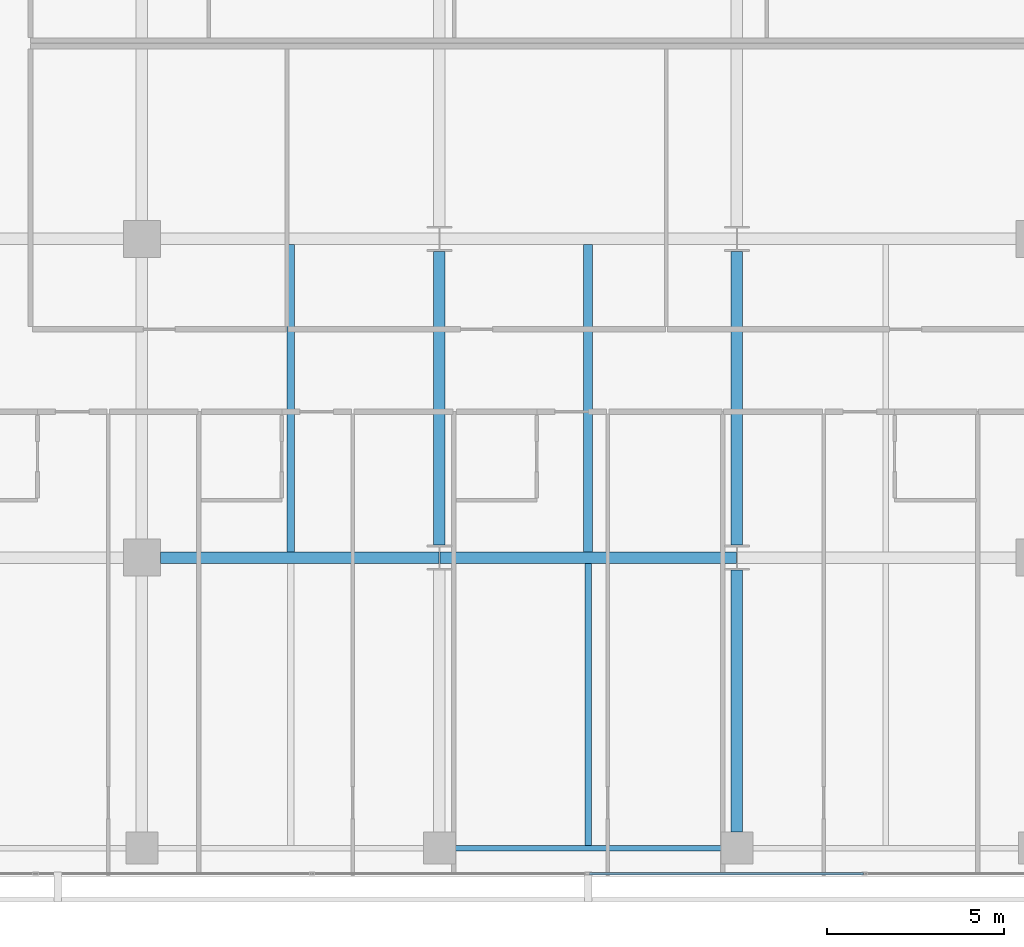
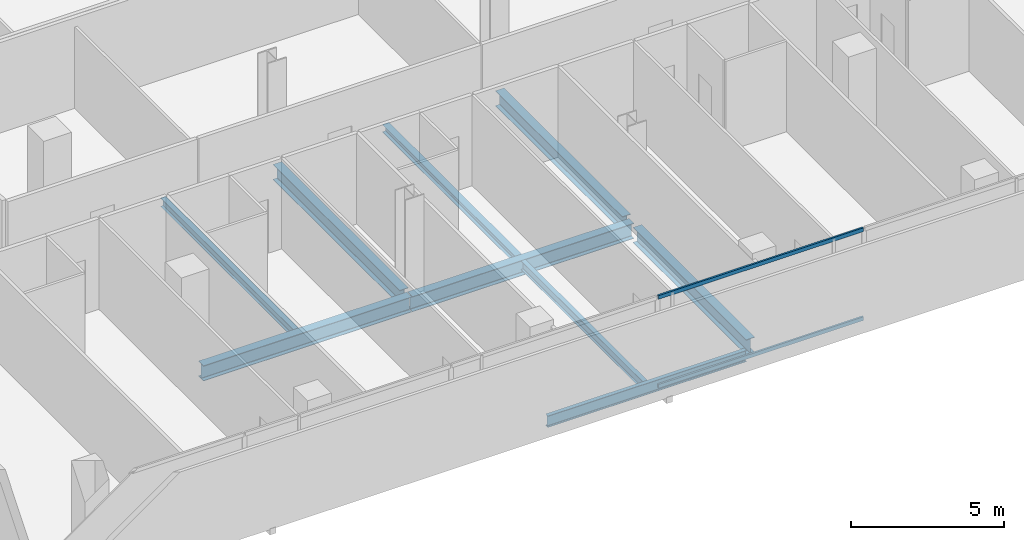
# One storey, part 9 of 41: 9 beams, 2 members, 1 element without a shape of its own.
"""IFC4 building model written with IfcOpenShell, lengths in metres."""

from ifc_helpers import new_model, si_unit, direction, frame, origin, origin_2d, place, context, subcontext, project, spatial, hollow_rectangle, i_section, extrude, material, layer, layer_set, material_profile, profile_set, type_object, element, aggregate, save


model = new_model("IFC4")

# Units and contexts
model_context = context("Model", 3, precision=1e-05, world=origin(), true_north=direction((0.0, 1.0)))
body_context = subcontext(model_context, "Body", "Model", "MODEL_VIEW")
ifc_project = project(units=[si_unit("LENGTHUNIT", "METRE"), si_unit("AREAUNIT", "SQUARE_METRE"), si_unit("VOLUMEUNIT", "CUBIC_METRE"), si_unit("PLANEANGLEUNIT", "RADIAN"), si_unit("MASSUNIT", "GRAM", prefix="KILO")], contexts=[model_context])

# Site, building, storey
site_placement = place(None, origin())
site = spatial("IfcSite", under=ifc_project, at=site_placement, CompositionType="ELEMENT")
building_placement = place(site_placement, origin())
building = spatial("IfcBuilding", under=site, at=building_placement, Name="Maruvema Waterfront Hotel and Observation Tower", CompositionType="ELEMENT")
storey_placement = place(building_placement, frame((0.0, 0.0, 84.699951171875)))
storey = spatial("IfcBuildingStorey", under=building, at=storey_placement, Name="L20", CompositionType="ELEMENT", Elevation=84.699951171875)

# Curtain wall, members
ifc_material_1 = material(Name="Anodised bronze aluminium and solar-control low-E IGU", Category="aluminium")
ifc_layer = layer(ifc_material_1, 0.159912109375, Name="Zone 1 Bronze Inner Thermal Curtain Wall System CW-02")
ifc_layer_set = layer_set([ifc_layer], Name="Anodised bronze aluminium and solar-control low-E IGU")
curtain_wall_type = type_object("IfcCurtainWallType", Name="Zone 1 Bronze Inner Thermal Curtain Wall System CW-02", PredefinedType="USERDEFINED", material=ifc_layer_set)
curtain_wall_placement = place(storey_placement, origin())
curtain_wall = element("IfcCurtainWall", 1, at=curtain_wall_placement, inside=storey, type_object=curtain_wall_type, Name="L20 Curtain Wall CW-L20-S", ObjectType="UNITISED CURTAIN WALL", PredefinedType="USERDEFINED")
ifc_material_2 = material(Name="Anodised architectural bronze aluminium", Category="aluminium")
ifc_material_profile_1 = material_profile(ifc_material_2, hollow_rectangle(XDim=0.070068359375, YDim=0.14990234375, WallThickness=0.00390625, at=origin_2d()), Name="ALU-T70x150")
ifc_profile_set_1 = profile_set([ifc_material_profile_1], Name="Anodised architectural bronze aluminium")
member_type = type_object("IfcMemberType", Name="Curtain Wall Horizontal Transom ALU-T70x150", PredefinedType="USERDEFINED", material=ifc_profile_set_1)
member_1_placement = place(storey_placement, frame((37.830078125, 0.080078125, 0.030029296875), z_axis=(1.0, 0.0, 0.0), x_axis=(0.0, 1.0, 0.0)))
member_1 = element("IfcMember", 2, at=member_1_placement, type_object=member_type, Name="CW-02 transom 4.1", ObjectType="TRANSOM", PredefinedType="USERDEFINED", context=body_context, shape_type="SweptSolid", body=[
    extrude(hollow_rectangle(XDim=0.070068359375, YDim=0.14990234375, WallThickness=0.00390625, at=origin_2d()), origin(), (0.0, 0.0, 1.0), 7.739990234375),
])
member_2_placement = place(storey_placement, frame((37.830078125, 0.080078125, 3.580078125), z_axis=(1.0, 0.0, 0.0), x_axis=(0.0, 1.0, 0.0)))
member_2 = element("IfcMember", 3, at=member_2_placement, type_object=member_type, Name="CW-02 transom 4.2", ObjectType="TRANSOM", PredefinedType="USERDEFINED", context=body_context, shape_type="SweptSolid", body=[
    extrude(hollow_rectangle(XDim=0.070068359375, YDim=0.14990234375, WallThickness=0.00390625, at=origin_2d()), origin(), (0.0, 0.0, 1.0), 7.739990234375),
])
aggregate(curtain_wall, [member_1, member_2])

# Beams
ifc_material_3 = material(Name="Steel ASTM A572 Grade 50", Category="steel")
ifc_material_profile_2 = material_profile(ifc_material_3, i_section(OverallWidth=0.153076171875, OverallDepth=0.455078125, WebThickness=0.008056640625, FlangeThickness=0.01318359375, FilletRadius=0.014892578125, at=origin_2d()), Name="W460x60.0")
ifc_profile_set_2 = profile_set([ifc_material_profile_2], Name="Steel ASTM A572 Grade 50")
beam_type_1 = type_object("IfcBeamType", Name="Perimeter Spandrel Beam W460x60.0", PredefinedType="SPANDREL", material=ifc_profile_set_2)
beam_1_placement = place(storey_placement, frame((34.050048828125, 0.800048828125, -0.467529296875), z_axis=(1.0, 0.0, 0.0), x_axis=(0.0, 1.0, 0.0)))
element("IfcBeam", 4, at=beam_1_placement, inside=storey, type_object=beam_type_1, Name="L20 Floor Girder EW-03", PredefinedType="SPANDREL", context=body_context, shape_type="SweptSolid", body=[
    extrude(i_section(OverallWidth=0.153076171875, OverallDepth=0.455078125, WebThickness=0.008056640625, FlangeThickness=0.01318359375, FilletRadius=0.014892578125, at=origin_2d()), origin(), (0.0, 0.0, 1.0), 7.5),
])
ifc_material_4 = material(Name="Steel ASTM A572 Grade 50", Category="steel")
ifc_material_profile_3 = material_profile(ifc_material_4, i_section(OverallWidth=0.323974609375, OverallDepth=0.611083984375, WebThickness=0.0126953125, FlangeThickness=0.01904296875, FilletRadius=0.01806640625, at=origin_2d()), Name="W610x155.0")
ifc_profile_set_3 = profile_set([ifc_material_profile_3], Name="Steel ASTM A572 Grade 50")
beam_type_2 = type_object("IfcBeamType", Name="Primary Floor Girder W610x155.0", PredefinedType="BEAM", material=ifc_profile_set_3)
beam_2_placement = place(storey_placement, frame((25.72509765625, 9.0, -0.54541015625), z_axis=(1.0, 0.0, 0.0), x_axis=(0.0, 1.0, 0.0)))
element("IfcBeam", 5, at=beam_2_placement, inside=storey, type_object=beam_type_2, Name="L20 Floor Girder EW-08", PredefinedType="BEAM", context=body_context, shape_type="SweptSolid", body=[
    extrude(i_section(OverallWidth=0.323974609375, OverallDepth=0.611083984375, WebThickness=0.0126953125, FlangeThickness=0.01904296875, FilletRadius=0.01806640625, at=origin_2d()), origin(), (0.0, 0.0, 1.0), 7.86083984375),
])
beam_3_placement = place(storey_placement, frame((33.614013671875, 9.0, -0.54541015625), z_axis=(1.0, 0.0, 0.0), x_axis=(0.0, 1.0, 0.0)))
element("IfcBeam", 6, at=beam_3_placement, inside=storey, type_object=beam_type_2, Name="L20 Floor Girder EW-09", PredefinedType="BEAM", context=body_context, shape_type="SweptSolid", body=[
    extrude(i_section(OverallWidth=0.323974609375, OverallDepth=0.611083984375, WebThickness=0.0126953125, FlangeThickness=0.01904296875, FilletRadius=0.01806640625, at=origin_2d()), origin(), (0.0, 0.0, 1.0), 8.3720703125),
])
beam_4_placement = place(storey_placement, frame((33.60009765625, 9.35009765625, -0.54541015625), z_axis=(0.0, 1.0, 0.0), x_axis=(-1.0, 0.0, 0.0)))
element("IfcBeam", 7, at=beam_4_placement, inside=storey, type_object=beam_type_2, Name="L20 Floor Girder NS-17", PredefinedType="BEAM", context=body_context, shape_type="SweptSolid", body=[
    extrude(i_section(OverallWidth=0.323974609375, OverallDepth=0.611083984375, WebThickness=0.0126953125, FlangeThickness=0.01904296875, FilletRadius=0.01806640625, at=origin_2d()), origin(), (0.0, 0.0, 1.0), 8.2998046875),
])
beam_5_placement = place(storey_placement, frame((42.0, 1.25, -0.54541015625), z_axis=(0.0, 1.0, 0.0), x_axis=(-1.0, 0.0, 0.0)))
element("IfcBeam", 8, at=beam_5_placement, inside=storey, type_object=beam_type_2, Name="L20 Floor Girder NS-19", PredefinedType="BEAM", context=body_context, shape_type="SweptSolid", body=[
    extrude(i_section(OverallWidth=0.323974609375, OverallDepth=0.611083984375, WebThickness=0.0126953125, FlangeThickness=0.01904296875, FilletRadius=0.01806640625, at=origin_2d()), origin(), (0.0, 0.0, 1.0), 7.39990234375),
])
beam_6_placement = place(storey_placement, frame((42.0, 9.35009765625, -0.54541015625), z_axis=(0.0, 1.0, 0.0), x_axis=(-1.0, 0.0, 0.0)))
element("IfcBeam", 9, at=beam_6_placement, inside=storey, type_object=beam_type_2, Name="L20 Floor Girder NS-20", PredefinedType="BEAM", context=body_context, shape_type="SweptSolid", body=[
    extrude(i_section(OverallWidth=0.323974609375, OverallDepth=0.611083984375, WebThickness=0.0126953125, FlangeThickness=0.01904296875, FilletRadius=0.01806640625, at=origin_2d()), origin(), (0.0, 0.0, 1.0), 8.2998046875),
])
ifc_material_5 = material(Name="Steel ASTM A572 Grade 50", Category="steel")
ifc_material_profile_4 = material_profile(ifc_material_5, i_section(OverallWidth=0.25390625, OverallDepth=0.305908203125, WebThickness=0.0087890625, FlangeThickness=0.0146484375, FilletRadius=0.014892578125, at=origin_2d()), Name="W310x79.0")
ifc_profile_set_4 = profile_set([ifc_material_profile_4], Name="Steel ASTM A572 Grade 50")
beam_type_3 = type_object("IfcBeamType", Name="Secondary Floor Joist W310x79.0", PredefinedType="JOIST", material=ifc_profile_set_4)
beam_7_placement = place(storey_placement, frame((37.800048828125, 9.162109375, -0.39306640625), z_axis=(0.0, 1.0, 0.0), x_axis=(-1.0, 0.0, 0.0)))
element("IfcBeam", 10, at=beam_7_placement, inside=storey, type_object=beam_type_3, Name="L20 Secondary Floor Joist JS-13", PredefinedType="JOIST", context=body_context, shape_type="SweptSolid", body=[
    extrude(i_section(OverallWidth=0.25390625, OverallDepth=0.305908203125, WebThickness=0.0087890625, FlangeThickness=0.0146484375, FilletRadius=0.014892578125, at=origin_2d()), origin(), (0.0, 0.0, 1.0), 8.67578125),
])
ifc_material_6 = material(Name="Steel ASTM A572 Grade 50", Category="steel")
ifc_material_profile_5 = material_profile(ifc_material_6, i_section(OverallWidth=0.1708984375, OverallDepth=0.35498046875, WebThickness=0.007080078125, FlangeThickness=0.01171875, FilletRadius=0.014892578125, at=origin_2d()), Name="W360x51.0")
ifc_profile_set_5 = profile_set([ifc_material_profile_5], Name="Steel ASTM A572 Grade 50")
beam_type_4 = type_object("IfcBeamType", Name="Secondary Floor Joist W360x51.0", PredefinedType="JOIST", material=ifc_profile_set_5)
beam_8_placement = place(storey_placement, frame((37.800048828125, 0.87646484375, -0.41748046875), z_axis=(0.0, 1.0, 0.0), x_axis=(-1.0, 0.0, 0.0)))
element("IfcBeam", 11, at=beam_8_placement, inside=storey, type_object=beam_type_4, Name="L20 Secondary Floor Joist JS-12", PredefinedType="JOIST", context=body_context, shape_type="SweptSolid", body=[
    extrude(i_section(OverallWidth=0.1708984375, OverallDepth=0.35498046875, WebThickness=0.007080078125, FlangeThickness=0.01171875, FilletRadius=0.014892578125, at=origin_2d()), origin(), (0.0, 0.0, 1.0), 7.96142578125),
])
ifc_material_7 = material(Name="Steel ASTM A572 Grade 50", Category="steel")
ifc_material_profile_6 = material_profile(ifc_material_7, i_section(OverallWidth=0.202880859375, OverallDepth=0.346923828125, WebThickness=0.0078125, FlangeThickness=0.013427734375, FilletRadius=0.014892578125, at=origin_2d()), Name="W360x64.0")
ifc_profile_set_6 = profile_set([ifc_material_profile_6], Name="Steel ASTM A572 Grade 50")
beam_type_5 = type_object("IfcBeamType", Name="Secondary Floor Joist W360x64.0", PredefinedType="JOIST", material=ifc_profile_set_6)
beam_9_placement = place(storey_placement, frame((29.39990234375, 9.162109375, -0.413330078125), z_axis=(0.0, 1.0, 0.0), x_axis=(-1.0, 0.0, 0.0)))
element("IfcBeam", 12, at=beam_9_placement, inside=storey, type_object=beam_type_5, Name="L20 Secondary Floor Joist JS-11", PredefinedType="JOIST", context=body_context, shape_type="SweptSolid", body=[
    extrude(i_section(OverallWidth=0.202880859375, OverallDepth=0.346923828125, WebThickness=0.0078125, FlangeThickness=0.013427734375, FilletRadius=0.014892578125, at=origin_2d()), origin(), (0.0, 0.0, 1.0), 8.67578125),
])

save(model, "model.ifc")
